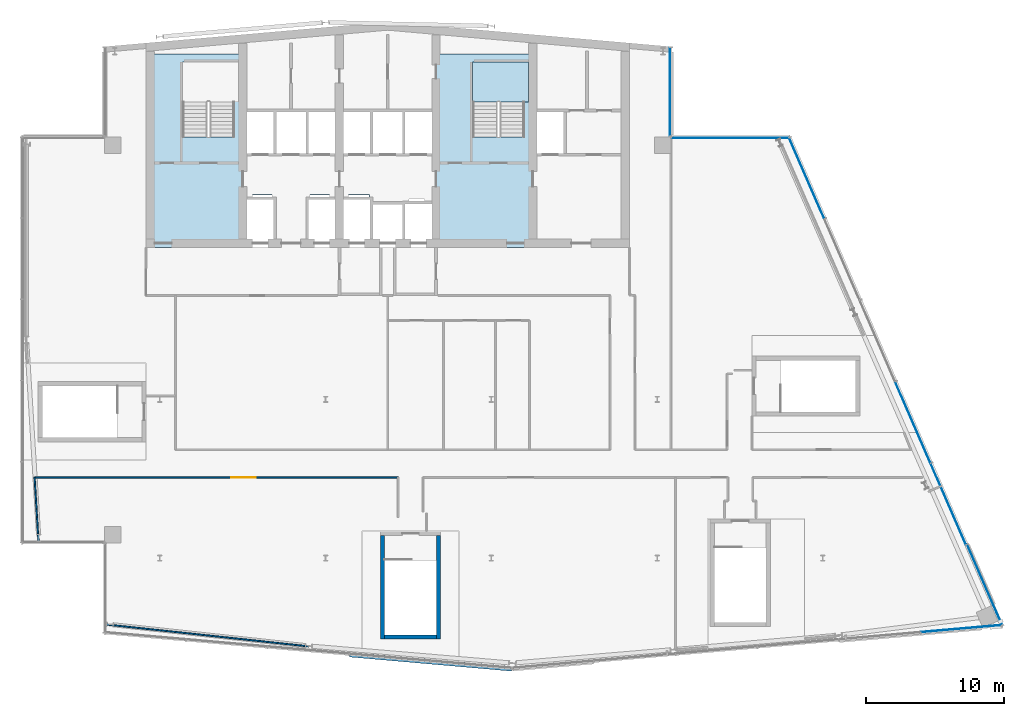
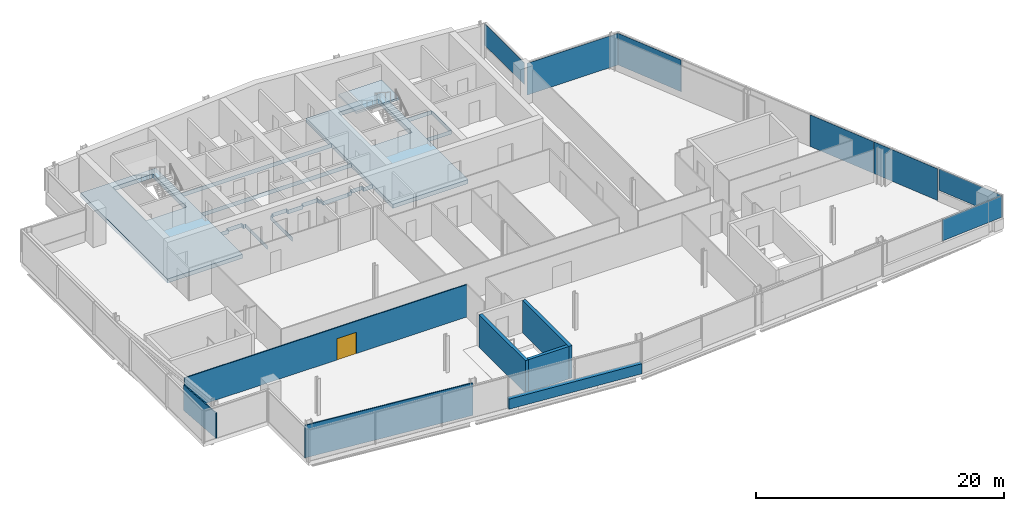
# One storey, part 13 of 19: 7 plates, 7 walls, 2 slabs, 1 door, 1 opening, 5 elements without a shape of their own.
"""IFC4 building model written with IfcOpenShell, lengths in metres."""

from ifc_helpers import new_model, si_unit, direction, frame, frame_2d, origin, origin_2d, place, context, subcontext, project, spatial, polyline, rectangle, outline, extrude, material, layer, layer_set, type_object, element, fill, aggregate, save


model = new_model("IFC4")

# Units and contexts
model_context = context("Model", 3, precision=1e-05, world=origin(), true_north=direction((0.0, 1.0)))
body_context = subcontext(model_context, "Body", "Model", "MODEL_VIEW")
ifc_project = project(units=[si_unit("LENGTHUNIT", "METRE"), si_unit("AREAUNIT", "SQUARE_METRE"), si_unit("VOLUMEUNIT", "CUBIC_METRE"), si_unit("PLANEANGLEUNIT", "RADIAN"), si_unit("MASSUNIT", "GRAM", prefix="KILO")], contexts=[model_context])

# Site, building, storey
site_placement = place(None, origin())
site = spatial("IfcSite", under=ifc_project, at=site_placement, CompositionType="ELEMENT")
building_placement = place(site_placement, origin())
building = spatial("IfcBuilding", under=site, at=building_placement, Name="Wharfspan Tower", CompositionType="ELEMENT")
storey_placement = place(building_placement, frame((0.0, 0.0, 257.5)))
storey = spatial("IfcBuildingStorey", under=building, at=storey_placement, Name="L65", CompositionType="ELEMENT", Elevation=257.5)

# Curtain wall, plate
ifc_material_1 = material(Name="Aluminium 6063-T6", Category="aluminium")
curtain_wall_type_1 = type_object("IfcCurtainWallType", Name="CURTAIN WALL FACETED FRONT", PredefinedType="NOTDEFINED", material=ifc_material_1)
curtain_wall_1_placement = place(storey_placement, origin())
curtain_wall_1 = element("IfcCurtainWall", 1, at=curtain_wall_1_placement, inside=storey, type_object=curtain_wall_type_1, Name="Curtain wall S2", PredefinedType="NOTDEFINED")
ifc_material_2 = material(Name="Glass clear low-iron double glazing", Category="glass")
ifc_layer_1 = layer(ifc_material_2, 0.040039)
ifc_layer_set_1 = layer_set([ifc_layer_1], Name="Glass clear low-iron double glazing")
plate_type_1 = type_object("IfcPlateType", Name="GLASS PANEL FACETED FRONT 40", PredefinedType="CURTAIN_PANEL", material=ifc_layer_set_1)
plate_1_placement = place(storey_placement, frame((82.021484, 6.399658, 1.0), z_axis=(0.0, 0.0, 1.0), x_axis=(0.996197, 0.087156, 0.0)))
plate_1 = element("IfcPlate", 2, at=plate_1_placement, type_object=plate_type_1, Name="Curtain wall S2 panel 6", PredefinedType="CURTAIN_PANEL", context=body_context, shape_type="SweptSolid", body=[
    extrude(rectangle(XDim=5.849365, YDim=0.040039, at=origin_2d()), origin(), (0.0, 0.0, 1.0), 2.120117),
])
aggregate(curtain_wall_1, [plate_1])

curtain_wall_type_2 = type_object("IfcCurtainWallType", Name="CURTAIN WALL PROW AND END", PredefinedType="NOTDEFINED", material=ifc_material_1)
curtain_wall_2_placement = place(storey_placement, origin())
curtain_wall_2 = element("IfcCurtainWall", 3, at=curtain_wall_2_placement, inside=storey, type_object=curtain_wall_type_2, Name="Curtain wall E", PredefinedType="NOTDEFINED")
ifc_layer_2 = layer(ifc_material_2, 0.040039)
ifc_layer_set_2 = layer_set([ifc_layer_2], Name="Glass clear low-iron double glazing")
plate_type_2 = type_object("IfcPlateType", Name="GLASS PANEL PROW AND END 40", PredefinedType="CURTAIN_PANEL", material=ifc_layer_set_2)
plate_2_placement = place(storey_placement, frame((83.711426, 9.563721, 1.0), z_axis=(0.0, 0.0, 1.0), x_axis=(-0.398727, 0.917072, 0.0)))
plate_2 = element("IfcPlate", 4, at=plate_2_placement, type_object=plate_type_2, Name="Curtain wall E panel 1", PredefinedType="CURTAIN_PANEL", context=body_context, shape_type="SweptSolid", body=[
    extrude(rectangle(XDim=6.343506, YDim=0.040039, at=origin_2d()), origin(), (0.0, 0.0, 1.0), 2.120117),
])

curtain_wall_3_placement = place(storey_placement, origin())
curtain_wall_3 = element("IfcCurtainWall", 5, at=curtain_wall_3_placement, inside=storey, type_object=curtain_wall_type_2, Name="Curtain wall NRE-V", PredefinedType="NOTDEFINED")
plate_3_placement = place(storey_placement, frame((60.919922, 45.262451, 1.0), z_axis=(0.0, 0.0, 1.0), x_axis=(0.0, 1.0, 0.0)))
plate_3 = element("IfcPlate", 6, at=plate_3_placement, type_object=plate_type_2, Name="Curtain wall NRE-V panel 1", PredefinedType="CURTAIN_PANEL", context=body_context, shape_type="SweptSolid", body=[
    extrude(rectangle(XDim=6.405029, YDim=0.040039, at=origin_2d()), origin(), (0.0, 0.0, 1.0), 2.120117),
])
aggregate(curtain_wall_3, [plate_3])

# Plate
ifc_material_3 = material(Name="Aluminium composite opaque insulated panel", Category="aluminium")
ifc_layer_3 = layer(ifc_material_3, 0.040039)
ifc_layer_set_3 = layer_set([ifc_layer_3], Name="Aluminium composite opaque insulated panel")
plate_type_3 = type_object("IfcPlateType", Name="INFILL PANEL PROW AND END OPAQUE 40", PredefinedType="SHEET", material=ifc_layer_set_3)
plate_4_placement = place(storey_placement, frame((81.078857, 15.418213, 0.0), z_axis=(0.0, 0.0, 1.0), x_axis=(-0.398727, 0.917072, 0.0)))
plate_4 = element("IfcPlate", 7, at=plate_4_placement, type_object=plate_type_3, Name="Curtain wall E panel 2", PredefinedType="SHEET", context=body_context, shape_type="SweptSolid", body=[
    extrude(rectangle(XDim=6.373535, YDim=0.040039, at=origin_2d()), origin(), (0.0, 0.0, 1.0), 3.120117),
])

plate_5_placement = place(storey_placement, frame((78.513672, 21.318115, 0.0), z_axis=(0.0, 0.0, 1.0), x_axis=(-0.398727, 0.917072, 0.0)))
plate_5 = element("IfcPlate", 8, at=plate_5_placement, type_object=plate_type_3, Name="Curtain wall E panel 3", PredefinedType="SHEET", context=body_context, shape_type="SweptSolid", body=[
    extrude(rectangle(XDim=6.373535, YDim=0.040039, at=origin_2d()), origin(), (0.0, 0.0, 1.0), 3.120117),
])

plate_6_placement = place(storey_placement, frame((70.823975, 39.004395, 0.0), z_axis=(0.0, 0.0, 1.0), x_axis=(-0.398727, 0.917072, 0.0)))
plate_6 = element("IfcPlate", 9, at=plate_6_placement, type_object=plate_type_3, Name="Curtain wall E panel 6", PredefinedType="SHEET", context=body_context, shape_type="SweptSolid", body=[
    extrude(rectangle(XDim=6.343506, YDim=0.040039, at=origin_2d()), origin(), (0.0, 0.0, 1.0), 3.120117),
])

aggregate(curtain_wall_2, [plate_2, plate_4, plate_5, plate_6])

# Curtain wall, plate
curtain_wall_4_placement = place(storey_placement, origin())
curtain_wall_4 = element("IfcCurtainWall", 10, at=curtain_wall_4_placement, inside=storey, type_object=curtain_wall_type_2, Name="Curtain wall NRE-H", PredefinedType="NOTDEFINED")
plate_7_placement = place(storey_placement, frame((65.304443, 41.919922, 0.0), z_axis=(0.0, 0.0, 1.0), x_axis=(-1.0, 0.0, 0.0)))
plate_7 = element("IfcPlate", 11, at=plate_7_placement, type_object=plate_type_3, Name="Curtain wall NRE-H panel 1", PredefinedType="SHEET", context=body_context, shape_type="SweptSolid", body=[
    extrude(rectangle(XDim=8.48877, YDim=0.040039, at=origin_2d()), origin(), (0.0, 0.0, 1.0), 3.120117),
])
aggregate(curtain_wall_4, [plate_7])

# Slab
ifc_material_4 = material(Name="Concrete C40/50", Category="concrete")
ifc_layer_4 = layer(ifc_material_4, 0.399902)
ifc_layer_set_4 = layer_set([ifc_layer_4], Name="Concrete C40/50")
slab_type_1 = type_object("IfcSlabType", Name="Post-tensioned flat slab 400", PredefinedType="FLOOR", material=ifc_layer_set_4)
slab_1_placement = place(storey_placement, frame((0.0, 0.0, -0.400146)))
element("IfcSlab", 12, at=slab_1_placement, inside=storey, type_object=slab_type_1, Name="Core floor slab L65 part 2", PredefinedType="FLOOR", context=body_context, shape_type="SweptSolid", body=[
    extrude(outline(polyline([(23.0, 34.0), (29.998047, 34.0), (29.998047, 37.550049), (29.998047, 37.550293), (29.998047, 37.550293), (29.998047, 37.550537), (29.998291, 37.550781), (29.998291, 37.550781), (29.998291, 37.551025), (29.998535, 37.55127), (29.998535, 37.551514), (29.998779, 37.551514), (29.998779, 37.551758), (29.999023, 37.551758), (29.999268, 37.551758), (29.999512, 37.552002), (29.999512, 37.552002), (29.999756, 37.552002), (30.0, 37.552002), (30.7146, 37.552002), (30.7146, 37.800049), (30.7146, 37.800293), (30.7146, 37.800293), (30.714844, 37.800537), (30.714844, 37.800781), (30.714844, 37.800781), (30.715088, 37.801025), (30.715088, 37.80127), (30.715332, 37.801514), (30.715332, 37.801514), (30.715576, 37.801758), (30.71582, 37.801758), (30.71582, 37.801758), (30.716064, 37.802002), (30.716309, 37.802002), (30.716553, 37.802002), (30.716797, 37.802002), (32.116699, 37.802002), (32.116943, 37.802002), (32.117188, 37.802002), (32.117188, 37.802002), (32.117432, 37.801758), (32.117676, 37.801758), (32.11792, 37.801758), (32.11792, 37.801514), (32.118164, 37.801514), (32.118164, 37.80127), (32.118408, 37.801025), (32.118408, 37.800781), (32.118408, 37.800781), (32.118652, 37.800537), (32.118652, 37.800293), (32.118652, 37.800293), (32.118652, 37.800049), (32.118652, 37.552002), (32.333252, 37.552002), (32.333496, 37.552002), (32.33374, 37.552002), (32.333984, 37.552002), (32.333984, 37.551758), (32.334229, 37.551758), (32.334473, 37.551758), (32.334717, 37.551514), (32.334717, 37.551514), (32.334961, 37.55127), (32.334961, 37.551025), (32.335205, 37.550781), (32.335205, 37.550781), (32.335205, 37.550537), (32.335205, 37.550293), (32.335205, 37.550293), (32.335205, 37.550049), (32.335205, 34.0), (32.341309, 34.0), (32.341309, 37.558105), (32.126709, 37.558105), (32.126465, 37.558105), (32.126221, 37.558105), (32.126221, 37.558105), (32.125977, 37.558105), (32.125732, 37.558105), (32.125488, 37.55835), (32.125488, 37.558594), (32.125244, 37.558594), (32.125244, 37.558594), (32.125, 37.558838), (32.125, 37.559082), (32.125, 37.559082), (32.124756, 37.559326), (32.124756, 37.55957), (32.124756, 37.559814), (32.124756, 37.560059), (32.124756, 37.808105), (30.70874, 37.808105), (30.70874, 37.560059), (30.70874, 37.559814), (30.70874, 37.55957), (30.708496, 37.559326), (30.708496, 37.559082), (30.708496, 37.559082), (30.708496, 37.558838), (30.708252, 37.558594), (30.708008, 37.558594), (30.708008, 37.558594), (30.707764, 37.55835), (30.70752, 37.558105), (30.70752, 37.558105), (30.707275, 37.558105), (30.707031, 37.558105), (30.706787, 37.558105), (30.706787, 37.558105), (30.01001, 37.558105), (30.009766, 37.558105), (30.009521, 37.558105), (30.009521, 37.558105), (30.009277, 37.558105), (30.009033, 37.558105), (30.008789, 37.55835), (30.008789, 37.558594), (30.008545, 37.558594), (30.008545, 37.558594), (30.008301, 37.558838), (30.008301, 37.559082), (30.008301, 37.559082), (30.008057, 37.559326), (30.008057, 37.55957), (30.008057, 37.559814), (30.008057, 37.560059), (30.008057, 40.689941), (30.008057, 40.690186), (30.008057, 40.69043), (30.008057, 40.690674), (30.008301, 40.690918), (30.008301, 40.690918), (30.008301, 40.691162), (30.008545, 40.691406), (30.008545, 40.691406), (30.008789, 40.691406), (30.008789, 40.69165), (30.009033, 40.691895), (30.009277, 40.691895), (30.009521, 40.691895), (30.009521, 40.691895), (30.009766, 40.691895), (30.01001, 40.691895), (43.98999, 40.691895), (43.990234, 40.691895), (43.990479, 40.691895), (43.990479, 40.691895), (43.990723, 40.691895), (43.990967, 40.691895), (43.991211, 40.69165), (43.991211, 40.691406), (43.991455, 40.691406), (43.991455, 40.691406), (43.991699, 40.691162), (43.991699, 40.690918), (43.991699, 40.690918), (43.991943, 40.690674), (43.991943, 40.69043), (43.991943, 40.690186), (43.991943, 40.689941), (43.991943, 37.26001), (43.991943, 37.259766), (43.991943, 37.259521), (43.991943, 37.259521), (43.991699, 37.259277), (43.991699, 37.259033), (43.991699, 37.258789), (43.991455, 37.258789), (43.991455, 37.258545), (43.991211, 37.258545), (43.991211, 37.258301), (43.990967, 37.258301), (43.990723, 37.258301), (43.990479, 37.258057), (43.990479, 37.258057), (43.990234, 37.258057), (43.98999, 37.258057), (43.143311, 37.258057), (43.143066, 37.258057), (43.142822, 37.258057), (43.142578, 37.258057), (43.142578, 37.258301), (43.142334, 37.258301), (43.14209, 37.258301), (43.14209, 37.258545), (43.141846, 37.258545), (43.141846, 37.258789), (43.141602, 37.258789), (43.141602, 37.259033), (43.141602, 37.259277), (43.141357, 37.259521), (43.141357, 37.259521), (43.141357, 37.259766), (43.141357, 37.26001), (43.141357, 37.508057), (42.025391, 37.508057), (42.025391, 37.26001), (42.025391, 37.259766), (42.025391, 37.259521), (42.025146, 37.259521), (42.025146, 37.259277), (42.025146, 37.259033), (42.024902, 37.258789), (42.024902, 37.258789), (42.024658, 37.258545), (42.024658, 37.258545), (42.024414, 37.258301), (42.02417, 37.258301), (42.02417, 37.258301), (42.023926, 37.258057), (42.023682, 37.258057), (42.023438, 37.258057), (42.023193, 37.258057), (41.658691, 37.258057), (41.658691, 37.209961), (41.658691, 37.209717), (41.658691, 37.209717), (41.658691, 37.209473), (41.658447, 37.209229), (41.658447, 37.208984), (41.658447, 37.208984), (41.658203, 37.20874), (41.658203, 37.208496), (41.657959, 37.208496), (41.657715, 37.208252), (41.657715, 37.208252), (41.657471, 37.208252), (41.657227, 37.208008), (41.656982, 37.208008), (41.656982, 37.208008), (41.656738, 37.208008), (39.343262, 37.208008), (39.343018, 37.208008), (39.343018, 37.208008), (39.342773, 37.208008), (39.342529, 37.208252), (39.342285, 37.208252), (39.342285, 37.208252), (39.342041, 37.208496), (39.341797, 37.208496), (39.341797, 37.20874), (39.341553, 37.208984), (39.341553, 37.208984), (39.341553, 37.209229), (39.341309, 37.209473), (39.341309, 37.209717), (39.341309, 37.209717), (39.341309, 37.209961), (39.341309, 37.558105), (39.166748, 37.558105), (39.166504, 37.558105), (39.16626, 37.558105), (39.166016, 37.558105), (39.166016, 37.558105), (39.165771, 37.558105), (39.165527, 37.55835), (39.165283, 37.558594), (39.165283, 37.558594), (39.165283, 37.558594), (39.165039, 37.558838), (39.164795, 37.559082), (39.164795, 37.559082), (39.164795, 37.559326), (39.164795, 37.55957), (39.164795, 37.559814), (39.164795, 37.560059), (39.164795, 37.808105), (37.668701, 37.808105), (37.668701, 37.560059), (37.668701, 37.559814), (37.668701, 37.55957), (37.668701, 37.559326), (37.668457, 37.559082), (37.668457, 37.559082), (37.668457, 37.558838), (37.668213, 37.558594), (37.668213, 37.558594), (37.667969, 37.558594), (37.667725, 37.55835), (37.66748, 37.558105), (37.66748, 37.558105), (37.667236, 37.558105), (37.666992, 37.558105), (37.666992, 37.558105), (37.666748, 37.558105), (36.293213, 37.558105), (36.293213, 37.558105), (36.292969, 37.558105), (36.292725, 37.558105), (36.29248, 37.558105), (36.29248, 37.558105), (36.292236, 37.55835), (36.291992, 37.558594), (36.291992, 37.558594), (36.291748, 37.558594), (36.291504, 37.558838), (36.291504, 37.559082), (36.291504, 37.559082), (36.291504, 37.559326), (36.29126, 37.55957), (36.29126, 37.559814), (36.29126, 37.560059), (36.29126, 37.808105), (34.875244, 37.808105), (34.875244, 37.560059), (34.875244, 37.559814), (34.875244, 37.55957), (34.875244, 37.559326), (34.875, 37.559082), (34.875, 37.559082), (34.875, 37.558838), (34.874756, 37.558594), (34.874756, 37.558594), (34.874512, 37.558594), (34.874512, 37.55835), (34.874268, 37.558105), (34.874023, 37.558105), (34.873779, 37.558105), (34.873779, 37.558105), (34.873535, 37.558105), (34.873291, 37.558105), (34.658691, 37.558105), (34.658691, 34.0), (34.664795, 34.0), (34.664795, 37.550049), (34.664795, 37.550293), (34.664795, 37.550293), (34.664795, 37.550537), (34.664795, 37.550781), (34.664795, 37.550781), (34.665039, 37.551025), (34.665039, 37.55127), (34.665283, 37.551514), (34.665283, 37.551514), (34.665527, 37.551758), (34.665771, 37.551758), (34.666016, 37.551758), (34.666016, 37.552002), (34.66626, 37.552002), (34.666504, 37.552002), (34.666748, 37.552002), (34.881348, 37.552002), (34.881348, 37.800049), (34.881348, 37.800293), (34.881348, 37.800293), (34.881348, 37.800537), (34.881592, 37.800781), (34.881592, 37.800781), (34.881592, 37.801025), (34.881836, 37.80127), (34.881836, 37.801514), (34.88208, 37.801514), (34.88208, 37.801758), (34.882324, 37.801758), (34.882568, 37.801758), (34.882812, 37.802002), (34.882812, 37.802002), (34.883057, 37.802002), (34.883301, 37.802002), (36.283203, 37.802002), (36.283447, 37.802002), (36.283691, 37.802002), (36.283936, 37.802002), (36.28418, 37.801758), (36.28418, 37.801758), (36.284424, 37.801758), (36.284668, 37.801514), (36.284668, 37.801514), (36.284912, 37.80127), (36.284912, 37.801025), (36.285156, 37.800781), (36.285156, 37.800781), (36.285156, 37.800537), (36.2854, 37.800293), (36.2854, 37.800293), (36.2854, 37.800049), (36.2854, 37.552002), (37.674805, 37.552002), (37.674805, 37.800049), (37.674805, 37.800293), (37.674805, 37.800293), (37.674805, 37.800537), (37.674805, 37.800781), (37.674805, 37.800781), (37.675049, 37.801025), (37.675049, 37.80127), (37.675293, 37.801514), (37.675293, 37.801514), (37.675537, 37.801758), (37.675781, 37.801758), (37.675781, 37.801758), (37.676025, 37.802002), (37.67627, 37.802002), (37.676514, 37.802002), (37.676758, 37.802002), (39.156738, 37.802002), (39.156982, 37.802002), (39.156982, 37.802002), (39.157227, 37.802002), (39.157471, 37.801758), (39.157715, 37.801758), (39.157715, 37.801758), (39.157959, 37.801514), (39.158203, 37.801514), (39.158203, 37.80127), (39.158203, 37.801025), (39.158447, 37.800781), (39.158447, 37.800781), (39.158691, 37.800537), (39.158691, 37.800293), (39.158691, 37.800293), (39.158691, 37.800049), (39.158691, 37.552002), (39.333252, 37.552002), (39.333496, 37.552002), (39.33374, 37.552002), (39.333984, 37.552002), (39.333984, 37.551758), (39.334229, 37.551758), (39.334473, 37.551758), (39.334717, 37.551514), (39.334717, 37.551514), (39.334961, 37.55127), (39.334961, 37.551025), (39.335205, 37.550781), (39.335205, 37.550781), (39.335205, 37.550537), (39.335205, 37.550293), (39.335205, 37.550293), (39.335205, 37.550049), (39.335205, 37.201904), (41.664795, 37.201904), (41.664795, 37.25), (41.664795, 37.250244), (41.664795, 37.250488), (41.664795, 37.250488), (41.664795, 37.250732), (41.664795, 37.250977), (41.665039, 37.251221), (41.665039, 37.251221), (41.665283, 37.251465), (41.665283, 37.251465), (41.665527, 37.251709), (41.665771, 37.251709), (41.666016, 37.251709), (41.666016, 37.251953), (41.66626, 37.251953), (41.666504, 37.251953), (41.666748, 37.251953), (42.03125, 37.251953), (42.03125, 37.5), (42.03125, 37.500244), (42.031494, 37.500488), (42.031494, 37.500488), (42.031494, 37.500732), (42.031494, 37.500977), (42.031738, 37.501221), (42.031738, 37.501221), (42.031982, 37.501465), (42.031982, 37.501465), (42.032227, 37.501709), (42.032471, 37.501709), (42.032715, 37.501709), (42.032715, 37.501953), (42.032959, 37.501953), (42.033203, 37.501953), (42.033203, 37.501953), (43.133301, 37.501953), (43.133545, 37.501953), (43.133789, 37.501953), (43.133789, 37.501953), (43.134033, 37.501709), (43.134277, 37.501709), (43.134521, 37.501709), (43.134521, 37.501465), (43.134766, 37.501465), (43.13501, 37.501221), (43.13501, 37.501221), (43.13501, 37.500977), (43.135254, 37.500732), (43.135254, 37.500488), (43.135254, 37.500488), (43.135254, 37.500244), (43.135254, 37.5), (43.135254, 37.251953), (44.0, 37.251953), (44.000244, 37.251953), (44.000488, 37.251953), (44.000488, 37.251953), (44.000732, 37.251709), (44.000977, 37.251709), (44.001221, 37.251709), (44.001221, 37.251465), (44.001465, 37.251465), (44.001465, 37.251221), (44.001709, 37.251221), (44.001709, 37.250977), (44.001709, 37.250732), (44.001953, 37.250488), (44.001953, 37.250488), (44.001953, 37.250244), (44.001953, 37.25), (44.001953, 34.0), (51.0, 34.0), (51.008057, 34.0), (51.008057, 40.689941), (51.008057, 40.690186), (51.008057, 40.69043), (51.008057, 40.690674), (51.008301, 40.690918), (51.008301, 40.690918), (51.008301, 40.691162), (51.008545, 40.691406), (51.008545, 40.691406), (51.008789, 40.691406), (51.008789, 40.69165), (51.009033, 40.691895), (51.009277, 40.691895), (51.009521, 40.691895), (51.009521, 40.691895), (51.009766, 40.691895), (51.01001, 40.691895), (53.341309, 40.691895), (53.341309, 43.907959), (51.01001, 43.907959), (51.009766, 43.907959), (51.009521, 43.907959), (51.009521, 43.908203), (51.009277, 43.908203), (51.009033, 43.908203), (51.008789, 43.908203), (51.008789, 43.908447), (51.008545, 43.908691), (51.008545, 43.908691), (51.008301, 43.908936), (51.008301, 43.90918), (51.008301, 43.90918), (51.008057, 43.909424), (51.008057, 43.909668), (51.008057, 43.909912), (51.008057, 43.909912), (51.008057, 48.008057), (43.991943, 48.008057), (43.991943, 43.909912), (43.991943, 43.909912), (43.991943, 43.909668), (43.991943, 43.909424), (43.991699, 43.90918), (43.991699, 43.90918), (43.991699, 43.908936), (43.991455, 43.908691), (43.991455, 43.908691), (43.991211, 43.908447), (43.991211, 43.908203), (43.990967, 43.908203), (43.990723, 43.908203), (43.990479, 43.908203), (43.990479, 43.907959), (43.990234, 43.907959), (43.98999, 43.907959), (30.01001, 43.907959), (30.009766, 43.907959), (30.009521, 43.907959), (30.009521, 43.908203), (30.009277, 43.908203), (30.009033, 43.908203), (30.008789, 43.908203), (30.008789, 43.908447), (30.008545, 43.908691), (30.008545, 43.908691), (30.008301, 43.908936), (30.008301, 43.90918), (30.008301, 43.90918), (30.008057, 43.909424), (30.008057, 43.909668), (30.008057, 43.909912), (30.008057, 43.909912), (30.008057, 48.008057), (23.0, 48.008057), (23.0, 48.0), (23.0, 34.0)]), holes=[polyline([(53.333252, 43.9021), (53.333496, 43.9021), (53.33374, 43.9021), (53.333984, 43.901855), (53.333984, 43.901855), (53.334229, 43.901855), (53.334473, 43.901611), (53.334717, 43.901611), (53.334717, 43.901367), (53.334961, 43.901367), (53.334961, 43.901123), (53.335205, 43.900879), (53.335205, 43.900879), (53.335205, 43.900635), (53.335205, 43.900391), (53.335205, 43.900146), (53.335205, 43.899902), (53.335205, 40.699951), (53.335205, 40.699707), (53.335205, 40.699707), (53.335205, 40.699463), (53.335205, 40.699219), (53.335205, 40.699219), (53.334961, 40.698975), (53.334961, 40.69873), (53.334717, 40.698486), (53.334717, 40.698486), (53.334473, 40.698242), (53.334229, 40.698242), (53.333984, 40.698242), (53.333984, 40.697998), (53.33374, 40.697998), (53.333496, 40.697998), (53.333252, 40.697998), (51.0, 40.697998), (50.999756, 40.697998), (50.999512, 40.697998), (50.999512, 40.697998), (50.999268, 40.698242), (50.999023, 40.698242), (50.998779, 40.698242), (50.998779, 40.698486), (50.998535, 40.698486), (50.998535, 40.69873), (50.998291, 40.698975), (50.998291, 40.699219), (50.998291, 40.699219), (50.998047, 40.699463), (50.998047, 40.699707), (50.998047, 40.699707), (50.998047, 40.699951), (50.998047, 43.899902), (50.998047, 43.900146), (50.998047, 43.900391), (50.998047, 43.900635), (50.998291, 43.900879), (50.998291, 43.900879), (50.998291, 43.901123), (50.998535, 43.901367), (50.998535, 43.901367), (50.998779, 43.901611), (50.998779, 43.901611), (50.999023, 43.901855), (50.999268, 43.901855), (50.999512, 43.901855), (50.999512, 43.9021), (50.999756, 43.9021), (51.0, 43.9021), (53.333252, 43.9021)]), polyline([(46.649902, 41.998047), (46.649902, 41.998047), (46.649658, 41.998047), (46.649414, 41.998047), (46.64917, 41.998291), (46.64917, 41.998291), (46.648926, 41.998291), (46.648682, 41.998535), (46.648682, 41.998535), (46.648438, 41.998779), (46.648193, 41.998779), (46.648193, 41.999023), (46.648193, 41.999268), (46.648193, 41.999512), (46.647949, 41.999512), (46.647949, 41.999756), (46.647949, 42.0), (46.647949, 47.399902), (46.647949, 47.400146), (46.647949, 47.400391), (46.648193, 47.400635), (46.648193, 47.400879), (46.648193, 47.400879), (46.648193, 47.401123), (46.648438, 47.401367), (46.648682, 47.401367), (46.648682, 47.401611), (46.648926, 47.401611), (46.64917, 47.401855), (46.64917, 47.401855), (46.649414, 47.401855), (46.649658, 47.4021), (46.649902, 47.4021), (46.649902, 47.4021), (50.399902, 47.4021), (50.400146, 47.4021), (50.400391, 47.4021), (50.400635, 47.401855), (50.400879, 47.401855), (50.400879, 47.401855), (50.401123, 47.401611), (50.401367, 47.401611), (50.401367, 47.401367), (50.401611, 47.401367), (50.401611, 47.401123), (50.401855, 47.400879), (50.401855, 47.400879), (50.401855, 47.400635), (50.4021, 47.400391), (50.4021, 47.400146), (50.4021, 47.399902), (50.4021, 42.0), (50.4021, 41.999756), (50.4021, 41.999512), (50.401855, 41.999512), (50.401855, 41.999268), (50.401855, 41.999023), (50.401611, 41.998779), (50.401611, 41.998779), (50.401367, 41.998535), (50.401367, 41.998535), (50.401123, 41.998291), (50.400879, 41.998291), (50.400879, 41.998291), (50.400635, 41.998047), (50.400391, 41.998047), (50.400146, 41.998047), (50.399902, 41.998047), (46.649902, 41.998047)]), polyline([(44.0, 43.9021), (44.000244, 43.9021), (44.000488, 43.9021), (44.000488, 43.901855), (44.000732, 43.901855), (44.000977, 43.901855), (44.001221, 43.901611), (44.001221, 43.901611), (44.001465, 43.901367), (44.001465, 43.901367), (44.001709, 43.901123), (44.001709, 43.900879), (44.001709, 43.900879), (44.001953, 43.900635), (44.001953, 43.900391), (44.001953, 43.900146), (44.001953, 43.899902), (44.001953, 40.699951), (44.001953, 40.699707), (44.001953, 40.699707), (44.001953, 40.699463), (44.001709, 40.699219), (44.001709, 40.699219), (44.001709, 40.698975), (44.001465, 40.69873), (44.001465, 40.698486), (44.001221, 40.698486), (44.001221, 40.698242), (44.000977, 40.698242), (44.000732, 40.698242), (44.000488, 40.697998), (44.000488, 40.697998), (44.000244, 40.697998), (44.0, 40.697998), (30.0, 40.697998), (29.999756, 40.697998), (29.999512, 40.697998), (29.999512, 40.697998), (29.999268, 40.698242), (29.999023, 40.698242), (29.998779, 40.698242), (29.998779, 40.698486), (29.998535, 40.698486), (29.998535, 40.69873), (29.998291, 40.698975), (29.998291, 40.699219), (29.998291, 40.699219), (29.998047, 40.699463), (29.998047, 40.699707), (29.998047, 40.699707), (29.998047, 40.699951), (29.998047, 43.899902), (29.998047, 43.900146), (29.998047, 43.900391), (29.998047, 43.900635), (29.998291, 43.900879), (29.998291, 43.900879), (29.998291, 43.901123), (29.998535, 43.901367), (29.998535, 43.901367), (29.998779, 43.901611), (29.998779, 43.901611), (29.999023, 43.901855), (29.999268, 43.901855), (29.999512, 43.901855), (29.999512, 43.9021), (29.999756, 43.9021), (30.0, 43.9021), (44.0, 43.9021)]), polyline([(29.4021, 42.0), (29.4021, 41.999756), (29.4021, 41.999512), (29.401855, 41.999512), (29.401855, 41.999268), (29.401855, 41.999023), (29.401611, 41.998779), (29.401611, 41.998779), (29.401367, 41.998535), (29.401367, 41.998535), (29.401123, 41.998291), (29.400879, 41.998291), (29.400879, 41.998291), (29.400635, 41.998047), (29.400391, 41.998047), (29.400146, 41.998047), (29.399902, 41.998047), (25.649902, 41.998047), (25.649902, 41.998047), (25.649658, 41.998047), (25.649414, 41.998047), (25.64917, 41.998291), (25.64917, 41.998291), (25.648926, 41.998291), (25.648682, 41.998535), (25.648682, 41.998535), (25.648438, 41.998779), (25.648193, 41.998779), (25.648193, 41.999023), (25.648193, 41.999268), (25.648193, 41.999512), (25.647949, 41.999512), (25.647949, 41.999756), (25.647949, 42.0), (25.647949, 47.399902), (25.647949, 47.400146), (25.647949, 47.400391), (25.648193, 47.400635), (25.648193, 47.400879), (25.648193, 47.400879), (25.648193, 47.401123), (25.648438, 47.401367), (25.648682, 47.401367), (25.648682, 47.401611), (25.648926, 47.401611), (25.64917, 47.401855), (25.64917, 47.401855), (25.649414, 47.401855), (25.649658, 47.4021), (25.649902, 47.4021), (25.649902, 47.4021), (29.399902, 47.4021), (29.400146, 47.4021), (29.400391, 47.4021), (29.400635, 47.401855), (29.400879, 47.401855), (29.400879, 47.401855), (29.401123, 47.401611), (29.401367, 47.401611), (29.401367, 47.401367), (29.401611, 47.401367), (29.401611, 47.401123), (29.401855, 47.400879), (29.401855, 47.400879), (29.401855, 47.400635), (29.4021, 47.400391), (29.4021, 47.400146), (29.4021, 47.399902), (29.4021, 42.0)])]), origin(), (0.0, 0.0, 1.0), 0.400146),
])

# Stair, slab
stair_type = type_object("IfcStairType", Name="Half-turn stair 20 risers 180 mm", PredefinedType="HALF_TURN_STAIR", material=ifc_material_4)
stair_placement = place(storey_placement, origin())
stair = element("IfcStair", 13, at=stair_placement, inside=storey, type_object=stair_type, Name="L65 stair ST2", PredefinedType="HALF_TURN_STAIR")
ifc_layer_5 = layer(ifc_material_4, 0.199951)
ifc_layer_set_5 = layer_set([ifc_layer_5], Name="Concrete C40/50")
slab_type_2 = type_object("IfcSlabType", Name="Stair landing 200", PredefinedType="LANDING", material=ifc_layer_set_5)
slab_2_placement = place(storey_placement, frame((0.0, 0.0, 1.599854)))
slab_2 = element("IfcSlab", 14, at=slab_2_placement, type_object=slab_type_2, Name="ST2 landing 1", PredefinedType="LANDING", context=body_context, shape_type="SweptSolid", body=[
    extrude(outline(polyline([(46.649902, 44.52002), (50.699951, 44.52002), (50.699951, 47.399902), (46.649902, 47.399902), (46.649902, 44.52002)])), origin(), (0.0, 0.0, 1.0), 0.200195),
])
aggregate(stair, [slab_2])

# Wall, opening, door
ifc_material_5 = material(Name="Gypsum board on steel studs", Category="steel")
ifc_layer_6 = layer(ifc_material_5, 0.100098)
ifc_layer_set_6 = layer_set([ifc_layer_6], Name="Gypsum board on steel studs")
wall_type_1 = type_object("IfcWallType", Name="Compartment wall 100 EI 60", PredefinedType="PARTITIONING", material=ifc_layer_set_6)
wall_1_placement = place(storey_placement, frame((14.935059, 17.344971, 0.0), z_axis=(0.0, 0.0, 1.0), x_axis=(1.0, 0.0, 0.0)))
wall_1 = element("IfcWall", 15, at=wall_1_placement, inside=storey, type_object=wall_type_1, Name="Partition L65.w003", PredefinedType="PARTITIONING", context=body_context, shape_type="SweptSolid", body=[
    extrude(rectangle(XDim=26.310059, YDim=0.100098, at=frame_2d((13.155029, 0.0))), origin(), (0.0, 0.0, 1.0), 3.199951),
])
opening_placement = place(wall_1_placement, frame((14.219971, 0.0, 0.0)))
opening = element("IfcOpeningElement", 16, at=opening_placement, cuts=wall_1, Name="Opening D7-01", PredefinedType="OPENING", context=body_context, shape_type="SweptSolid", body=[
    extrude(rectangle(XDim=1.800049, YDim=2.100098, at=frame_2d((0.899902, 1.050049))), frame((0.0, 0.060059, 0.0), z_axis=(0.0, -1.0, 0.0), x_axis=(1.0, 0.0, 0.0)), (0.0, 0.0, 1.0), 0.120117),
])
ifc_material_6 = material(Name="Fire-rated timber door leaf in steel frame", Category="steel")
door_type = type_object("IfcDoorType", Name="Door 1800 FD30S Double", OperationType="DOUBLE_DOOR_SINGLE_SWING", PredefinedType="DOOR", material=ifc_material_6)
door_placement = place(opening_placement, origin())
door = element("IfcDoor", 17, at=door_placement, inside=storey, type_object=door_type, Name="Door D7-01", OperationType="DOUBLE_DOOR_SINGLE_SWING", OverallHeight=2.100098, OverallWidth=1.800049, PredefinedType="DOOR", context=body_context, shape_type="SweptSolid", body=[
    extrude(rectangle(XDim=1.800049, YDim=2.100098, at=frame_2d((0.899902, 1.050049))), frame((0.0, 0.024902, 0.0), z_axis=(0.0, -1.0, 0.0), x_axis=(1.0, 0.0, 0.0)), (0.0, 0.0, 1.0), 0.050049),
])
fill(opening, door)

# Walls
wall_2_placement = place(storey_placement, frame((15.223877, 12.620117, 0.0), z_axis=(0.0, 0.0, 1.0), x_axis=(-0.061014, 0.998141, 0.0)))
element("IfcWall", 18, at=wall_2_placement, inside=storey, type_object=wall_type_1, Name="Partition L65.w004", PredefinedType="PARTITIONING", context=body_context, shape_type="SweptSolid", body=[
    extrude(rectangle(XDim=4.733643, YDim=0.100098, at=frame_2d((2.366699, 0.0))), origin(), (0.0, 0.0, 1.0), 2.501953),
])
ifc_layer_7 = layer(ifc_material_5, 0.100098)
ifc_layer_set_7 = layer_set([ifc_layer_7], Name="Gypsum board on steel studs")
wall_type_2 = type_object("IfcWallType", Name="Partition 100", PredefinedType="PARTITIONING", material=ifc_layer_set_7)
wall_3_placement = place(storey_placement, frame((34.75, 5.11499, 0.0), z_axis=(0.0, 0.0, 1.0), x_axis=(-0.994207, 0.107505, 0.0)))
element("IfcWall", 19, at=wall_3_placement, inside=storey, type_object=wall_type_2, Name="Partition L65.w010", PredefinedType="PARTITIONING", context=body_context, shape_type="SweptSolid", body=[
    extrude(rectangle(XDim=14.815918, YDim=0.100098, at=frame_2d((7.407959, 0.0))), origin(), (0.0, 0.0, 1.0), 3.199951),
])
ifc_layer_8 = layer(ifc_material_4, 0.350098)
ifc_layer_set_8 = layer_set([ifc_layer_8], Name="Concrete C40/50")
wall_type_3 = type_object("IfcWallType", Name="SPANDREL EXPOSED CONCRETE 350", PredefinedType="SOLIDWALL", material=ifc_layer_set_8)
wall_4_placement = place(storey_placement, frame((37.729492, 4.519043, 0.0), z_axis=(0.0, 0.0, 1.0), x_axis=(0.99619, -0.087167, 0.0)))
element("IfcWall", 20, at=wall_4_placement, inside=storey, type_object=wall_type_3, Name="Spandrel upstand L65 S1", PredefinedType="SOLIDWALL", context=body_context, shape_type="SweptSolid", body=[
    extrude(rectangle(XDim=11.830566, YDim=0.350098, at=frame_2d((5.915283, 0.0))), origin(), (0.0, 0.0, 1.0), 1.0),
])
ifc_layer_9 = layer(ifc_material_4, 0.300049)
ifc_layer_set_9 = layer_set([ifc_layer_9], Name="Concrete C40/50")
wall_type_4 = type_object("IfcWallType", Name="Stair core wall 300", PredefinedType="SHEAR", material=ifc_layer_set_9)
for number, where, z_axis, x_axis, name in (
    (21, (40.127197, 5.643311, 0.0), (0.0, 0.0, 1.0), (0.0, 1.0, 0.0), "ST4 stair enclosure wall L65"),
    (22, (44.177002, 5.643311, 0.0), (0.0, 0.0, 1.0), (0.0, 1.0, 0.0), "ST4 stair enclosure wall L65"),
):
    element("IfcWall", number, at=place(storey_placement, frame(where, z_axis=z_axis, x_axis=x_axis)), inside=storey, type_object=wall_type_4, Name=name, PredefinedType="SHEAR", context=body_context, shape_type="SweptSolid", body=[
        extrude(rectangle(XDim=7.5, YDim=0.300049, at=frame_2d((3.75, 0.0))), origin(), (0.0, 0.0, 1.0), 3.199951),
    ])
wall_5_placement = place(storey_placement, frame((40.2771, 5.793213, 0.0), z_axis=(0.0, 0.0, 1.0), x_axis=(1.0, 0.0, 0.0)))
element("IfcWall", 23, at=wall_5_placement, inside=storey, type_object=wall_type_4, Name="ST4 stair enclosure wall L65", PredefinedType="SHEAR", context=body_context, shape_type="SweptSolid", body=[
    extrude(rectangle(XDim=3.75, YDim=0.300049, at=frame_2d((1.875, 0.0))), origin(), (0.0, 0.0, 1.0), 3.199951),
])

save(model, "model.ifc")
